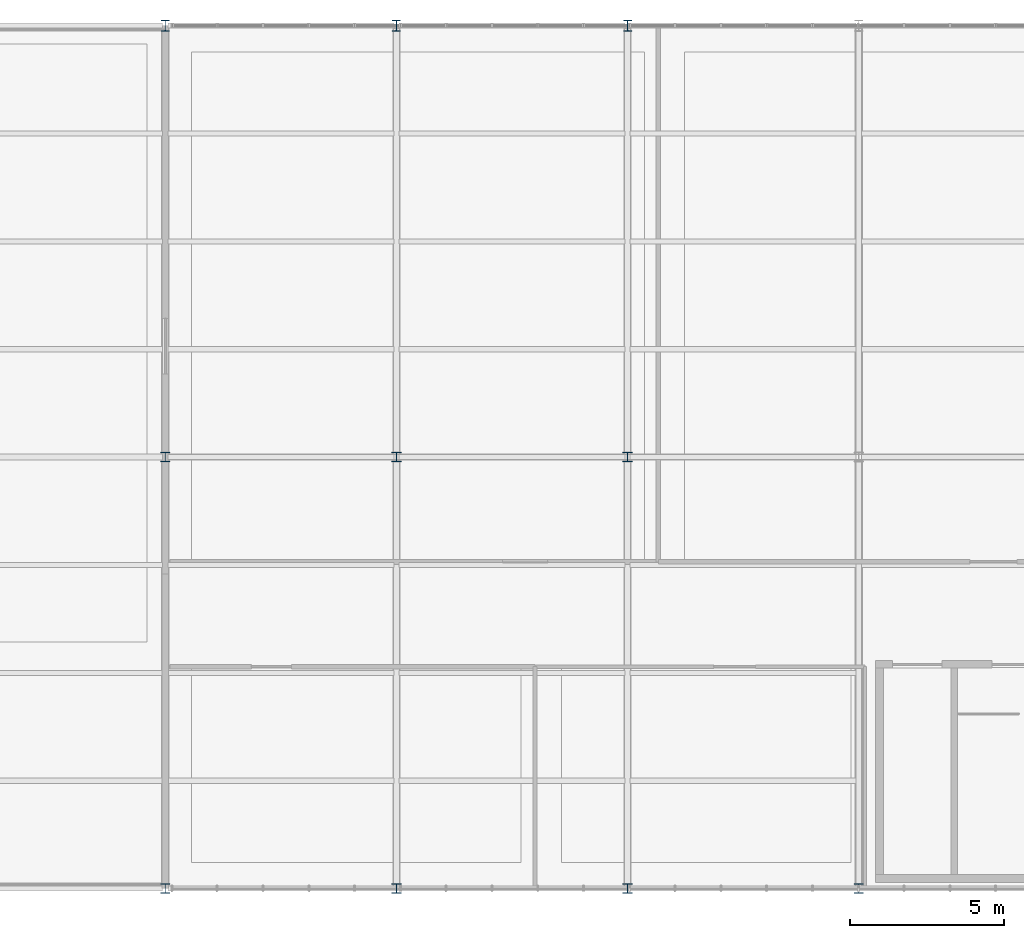
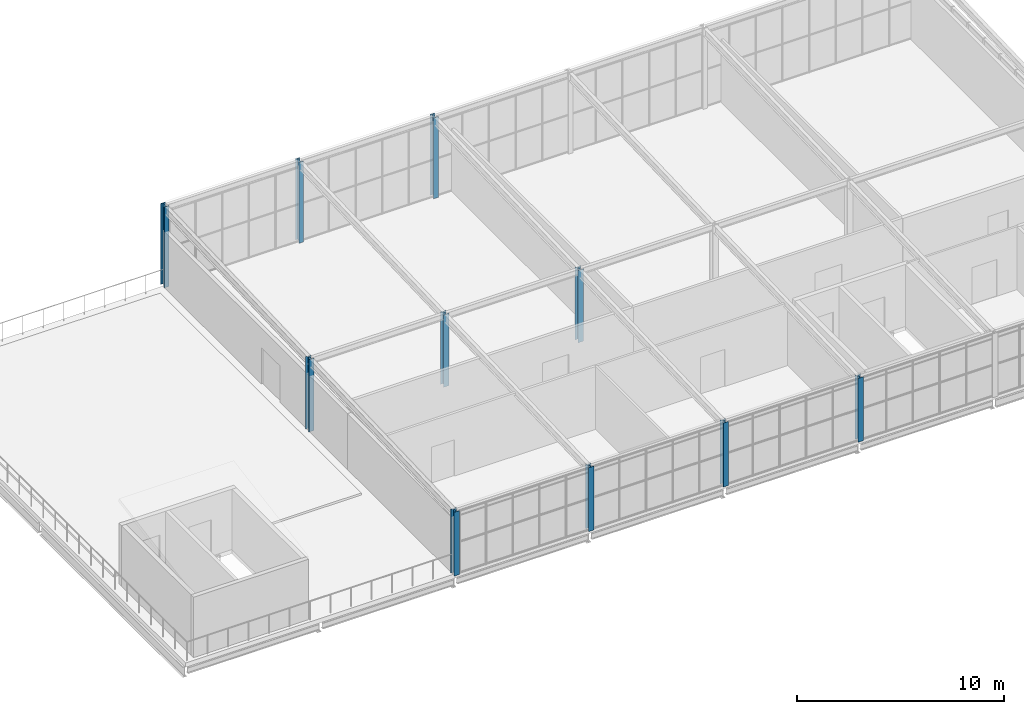
# One storey, part 1 of 27: 10 columns.
"""IFC4 building model written with IfcOpenShell, lengths in metres."""

from ifc_helpers import new_model, si_unit, direction, frame, origin, origin_2d, place, context, subcontext, project, spatial, i_section, extrude, material, material_profile, profile_set, type_object, element, save


model = new_model("IFC4")

# Units and contexts
model_context = context("Model", 3, precision=1e-05, world=origin(), true_north=direction((0.0, 1.0)))
body_context = subcontext(model_context, "Body", "Model", "MODEL_VIEW")
ifc_project = project(units=[si_unit("LENGTHUNIT", "METRE"), si_unit("AREAUNIT", "SQUARE_METRE"), si_unit("VOLUMEUNIT", "CUBIC_METRE"), si_unit("PLANEANGLEUNIT", "RADIAN"), si_unit("MASSUNIT", "GRAM", prefix="KILO")], contexts=[model_context])

# Site, building, storey
site_placement = place(None, origin())
site = spatial("IfcSite", under=ifc_project, at=site_placement, CompositionType="ELEMENT")
building_placement = place(site_placement, origin())
building = spatial("IfcBuilding", under=site, at=building_placement, Name="Solvenia Promenade Tram Depot", CompositionType="ELEMENT")
storey_placement = place(building_placement, frame((0.0, 0.0, 13.5)))
storey = spatial("IfcBuildingStorey", under=building, at=storey_placement, Name="L03", CompositionType="ELEMENT", Elevation=13.5)

# Columns
ifc_material = material(Name="Structural steel ASTM A992 Gr. 50", Category="steel")
ifc_material_profile_1 = material_profile(ifc_material, i_section(OverallWidth=0.304931640625, OverallDepth=0.30810546875, WebThickness=0.010009765625, FlangeThickness=0.015380859375, FilletRadius=0.014892578125, at=origin_2d()), Name="W310x97", Category="steel")
ifc_profile_set_1 = profile_set([ifc_material_profile_1], Name="Structural steel ASTM A992 Gr. 50")
column_type_1 = type_object("IfcColumnType", Name="Col-W310x97", PredefinedType="COLUMN", material=ifc_profile_set_1)
column_1_placement = place(storey_placement, frame((120.0, 38.0, 0.0), z_axis=(0.0, 0.0, 1.0), x_axis=(1.0, 0.0, 0.0)))
element("IfcColumn", 1, at=column_1_placement, inside=storey, type_object=column_type_1, Name="Steel Column COL-L03-232", PredefinedType="COLUMN", context=body_context, shape_type="SweptSolid", body=[
    extrude(i_section(OverallWidth=0.304931640625, OverallDepth=0.30810546875, WebThickness=0.010009765625, FlangeThickness=0.015380859375, FilletRadius=0.014892578125, at=origin_2d()), origin(), (0.0, 0.0, 1.0), 3.760009765625),
])
column_2_placement = place(storey_placement, frame((120.0, 52.0, 0.0), z_axis=(0.0, 0.0, 1.0), x_axis=(1.0, 0.0, 0.0)))
element("IfcColumn", 2, at=column_2_placement, inside=storey, type_object=column_type_1, Name="Steel Column COL-L03-236", PredefinedType="COLUMN", context=body_context, shape_type="SweptSolid", body=[
    extrude(i_section(OverallWidth=0.304931640625, OverallDepth=0.30810546875, WebThickness=0.010009765625, FlangeThickness=0.015380859375, FilletRadius=0.014892578125, at=origin_2d()), origin(), (0.0, 0.0, 1.0), 4.260009765625),
])
column_3_placement = place(storey_placement, frame((127.5, 38.0, 0.0), z_axis=(0.0, 0.0, 1.0), x_axis=(1.0, 0.0, 0.0)))
element("IfcColumn", 3, at=column_3_placement, inside=storey, type_object=column_type_1, Name="Steel Column COL-L03-250", PredefinedType="COLUMN", context=body_context, shape_type="SweptSolid", body=[
    extrude(i_section(OverallWidth=0.304931640625, OverallDepth=0.30810546875, WebThickness=0.010009765625, FlangeThickness=0.015380859375, FilletRadius=0.014892578125, at=origin_2d()), origin(), (0.0, 0.0, 1.0), 3.760009765625),
])
column_4_placement = place(storey_placement, frame((127.5, 52.0, 0.0), z_axis=(0.0, 0.0, 1.0), x_axis=(1.0, 0.0, 0.0)))
element("IfcColumn", 4, at=column_4_placement, inside=storey, type_object=column_type_1, Name="Steel Column COL-L03-254", PredefinedType="COLUMN", context=body_context, shape_type="SweptSolid", body=[
    extrude(i_section(OverallWidth=0.304931640625, OverallDepth=0.30810546875, WebThickness=0.010009765625, FlangeThickness=0.015380859375, FilletRadius=0.014892578125, at=origin_2d()), origin(), (0.0, 0.0, 1.0), 4.260009765625),
])
column_5_placement = place(storey_placement, frame((135.0, 38.0, 0.0), z_axis=(0.0, 0.0, 1.0), x_axis=(1.0, 0.0, 0.0)))
element("IfcColumn", 5, at=column_5_placement, inside=storey, type_object=column_type_1, Name="Steel Column COL-L03-270", PredefinedType="COLUMN", context=body_context, shape_type="SweptSolid", body=[
    extrude(i_section(OverallWidth=0.304931640625, OverallDepth=0.30810546875, WebThickness=0.010009765625, FlangeThickness=0.015380859375, FilletRadius=0.014892578125, at=origin_2d()), origin(), (0.0, 0.0, 1.0), 3.760009765625),
])
column_6_placement = place(storey_placement, frame((135.0, 52.0, 0.0), z_axis=(0.0, 0.0, 1.0), x_axis=(1.0, 0.0, 0.0)))
element("IfcColumn", 6, at=column_6_placement, inside=storey, type_object=column_type_1, Name="Steel Column COL-L03-274", PredefinedType="COLUMN", context=body_context, shape_type="SweptSolid", body=[
    extrude(i_section(OverallWidth=0.304931640625, OverallDepth=0.30810546875, WebThickness=0.010009765625, FlangeThickness=0.015380859375, FilletRadius=0.014892578125, at=origin_2d()), origin(), (0.0, 0.0, 1.0), 4.260009765625),
])
column_7_placement = place(storey_placement, frame((142.5, 38.0, 0.0), z_axis=(0.0, 0.0, 1.0), x_axis=(1.0, 0.0, 0.0)))
element("IfcColumn", 7, at=column_7_placement, inside=storey, type_object=column_type_1, Name="Steel Column COL-L03-291", PredefinedType="COLUMN", context=body_context, shape_type="SweptSolid", body=[
    extrude(i_section(OverallWidth=0.304931640625, OverallDepth=0.30810546875, WebThickness=0.010009765625, FlangeThickness=0.015380859375, FilletRadius=0.014892578125, at=origin_2d()), origin(), (0.0, 0.0, 1.0), 3.760009765625),
])
ifc_material_profile_2 = material_profile(ifc_material, i_section(OverallWidth=0.257080078125, OverallDepth=0.363037109375, WebThickness=0.012939453125, FlangeThickness=0.021728515625, FilletRadius=0.014892578125, at=origin_2d()), Name="W360x122", Category="steel")
ifc_profile_set_2 = profile_set([ifc_material_profile_2], Name="Structural steel ASTM A992 Gr. 50")
column_type_2 = type_object("IfcColumnType", Name="Col-W360x122", PredefinedType="COLUMN", material=ifc_profile_set_2)
for number, where, z_axis, x_axis, name in (
    (8, (120.0, 66.0, 0.0), (0.0, 0.0, 1.0), (1.0, 0.0, 0.0), "Steel Column COL-L03-240"),
    (9, (127.5, 66.0, 0.0), (0.0, 0.0, 1.0), (1.0, 0.0, 0.0), "Steel Column COL-L03-258"),
    (10, (135.0, 66.0, 0.0), (0.0, 0.0, 1.0), (1.0, 0.0, 0.0), "Steel Column COL-L03-278"),
):
    element("IfcColumn", number, at=place(storey_placement, frame(where, z_axis=z_axis, x_axis=x_axis)), inside=storey, type_object=column_type_2, Name=name, PredefinedType="COLUMN", context=body_context, shape_type="SweptSolid", body=[
        extrude(i_section(OverallWidth=0.257080078125, OverallDepth=0.363037109375, WebThickness=0.012939453125, FlangeThickness=0.021728515625, FilletRadius=0.014892578125, at=origin_2d()), origin(), (0.0, 0.0, 1.0), 4.760009765625),
    ])

save(model, "model.ifc")
